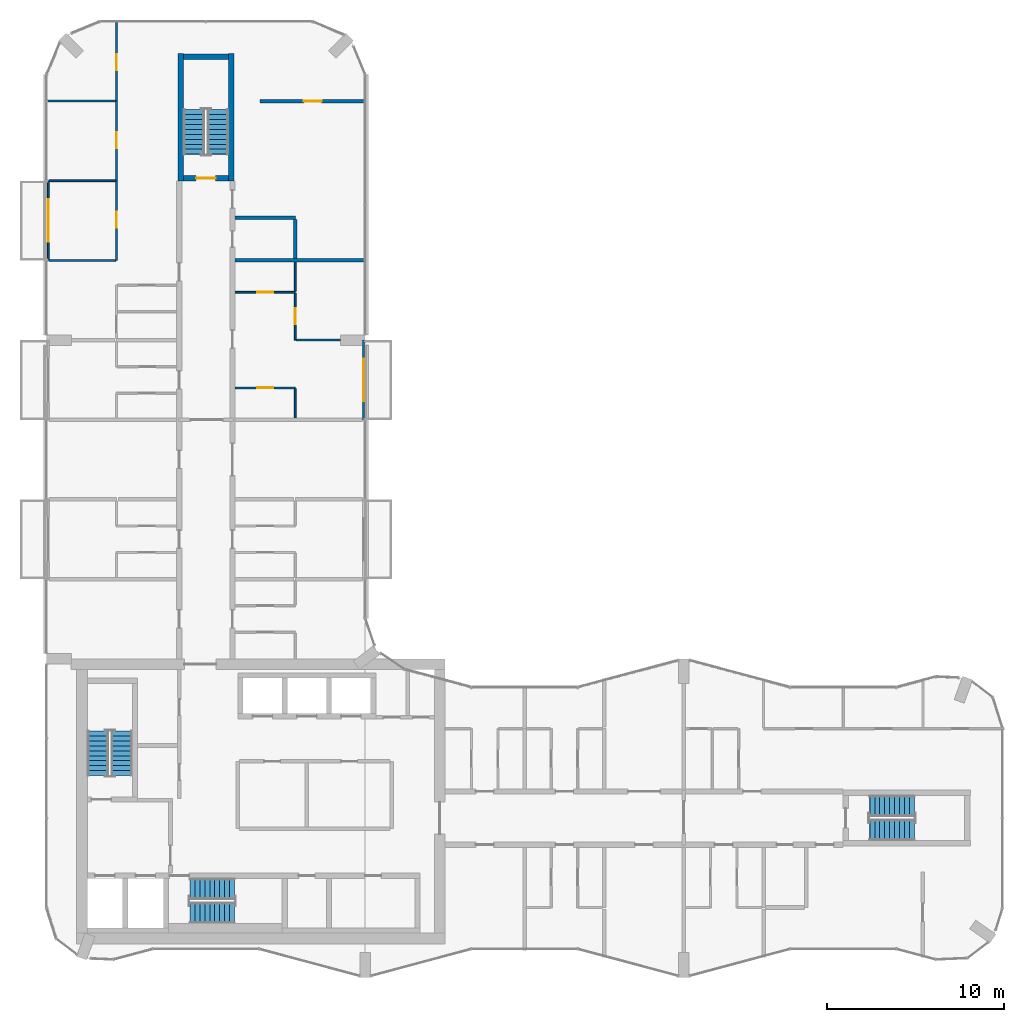
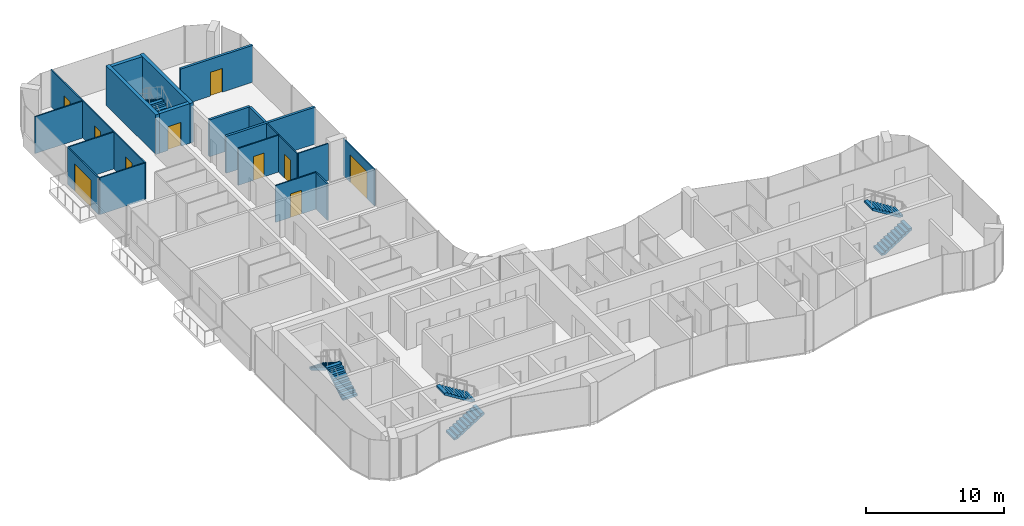
# One storey, part 13 of 16: 20 walls, 10 doors, 8 stair flights, 10 openings, 4 elements without a shape of their own.
"""IFC4 building model written with IfcOpenShell, lengths in metres."""

from ifc_helpers import new_model, si_unit, direction, frame, frame_2d, origin, place, context, subcontext, project, spatial, polyline, rectangle, outline, extrude, material, layer, layer_set, type_object, element, fill, aggregate, save


model = new_model("IFC4")

# Units and contexts
model_context = context("Model", 3, precision=1e-05, world=origin(), true_north=direction((0.0, 1.0)))
body_context = subcontext(model_context, "Body", "Model", "MODEL_VIEW")
ifc_project = project(units=[si_unit("LENGTHUNIT", "METRE"), si_unit("AREAUNIT", "SQUARE_METRE"), si_unit("VOLUMEUNIT", "CUBIC_METRE"), si_unit("PLANEANGLEUNIT", "RADIAN"), si_unit("MASSUNIT", "GRAM", prefix="KILO")], contexts=[model_context])

# Site, building, storey
site_placement = place(None, origin())
site = spatial("IfcSite", under=ifc_project, at=site_placement, CompositionType="ELEMENT")
building_placement = place(site_placement, origin())
building = spatial("IfcBuilding", under=site, at=building_placement, Name="Plateau Cross Towers", CompositionType="ELEMENT")
storey_placement = place(building_placement, frame((0.0, 0.0, 167.39990234375)))
storey = spatial("IfcBuildingStorey", under=building, at=storey_placement, Name="L43", CompositionType="ELEMENT", Elevation=167.39990234375)

# Wall, opening, door
ifc_material_1 = material(Name="Aluminium framed glazing", Category="aluminium")
ifc_layer_1 = layer(ifc_material_1, 0.10009765625)
ifc_layer_set_1 = layer_set([ifc_layer_1], Name="Aluminium framed glazing")
wall_type_1 = type_object("IfcWallType", Name="Balcony screen wall 100", PredefinedType="STANDARD", material=ifc_layer_set_1)
wall_1_placement = place(storey_placement, frame((0.10009765625, 40.5, 0.0), z_axis=(0.0, 0.0, 1.0), x_axis=(0.0, 1.0, 0.0)))
wall_1 = element("IfcWall", 1, at=wall_1_placement, inside=storey, type_object=wall_type_1, Name="Balcony screen wall A-BAL-L43-03", PredefinedType="STANDARD", context=body_context, shape_type="SweptSolid", body=[
    extrude(rectangle(XDim=4.5, YDim=0.10009765625, at=frame_2d((2.25, 0.0))), origin(), (0.0, 0.0, 1.0), 3.25),
])
opening_1_placement = place(wall_1_placement, frame((1.050048828125, 0.0, 0.0)))
opening_1 = element("IfcOpeningElement", 2, at=opening_1_placement, cuts=wall_1, Name="Opening D-B24", PredefinedType="OPENING", context=body_context, shape_type="SweptSolid", body=[
    extrude(rectangle(XDim=2.39990234375, YDim=2.39990234375, at=frame_2d((1.199951171875, 1.199951171875))), frame((0.0, 0.06005859375, 0.0), z_axis=(0.0, -1.0, 0.0), x_axis=(1.0, 0.0, 0.0)), (0.0, 0.0, 1.0), 0.1201171875),
])
ifc_material_2 = material(Name="Aluminium frame, double glazing", Category="aluminium")
door_type_1 = type_object("IfcDoorType", Name="Balcony sliding door 2400", OperationType="NOTDEFINED", PredefinedType="DOOR", material=ifc_material_2)
door_1_placement = place(opening_1_placement, origin())
door_1 = element("IfcDoor", 3, at=door_1_placement, inside=storey, type_object=door_type_1, Name="Balcony door A-BAL-L43-03", OperationType="SINGLE_SWING_LEFT", OverallHeight=2.39990234375, OverallWidth=2.39990234375, PredefinedType="DOOR", context=body_context, shape_type="SweptSolid", body=[
    extrude(rectangle(XDim=2.39990234375, YDim=2.39990234375, at=frame_2d((1.199951171875, 1.199951171875))), frame((0.0, 0.02490234375, 0.0), z_axis=(0.0, -1.0, 0.0), x_axis=(1.0, 0.0, 0.0)), (0.0, 0.0, 1.0), 0.050048828125),
])
fill(opening_1, door_1)

wall_2_placement = place(storey_placement, frame((17.89990234375, 36.0, 0.0), z_axis=(0.0, 0.0, 1.0), x_axis=(0.0, -1.0, 0.0)))
wall_2 = element("IfcWall", 4, at=wall_2_placement, inside=storey, type_object=wall_type_1, Name="Balcony screen wall A-BAL-L43-05", PredefinedType="STANDARD", context=body_context, shape_type="SweptSolid", body=[
    extrude(rectangle(XDim=4.5, YDim=0.10009765625, at=frame_2d((2.25, 0.0))), origin(), (0.0, 0.0, 1.0), 3.25),
])
opening_2_placement = place(wall_2_placement, frame((1.050048828125, 0.0, 0.0)))
opening_2 = element("IfcOpeningElement", 5, at=opening_2_placement, cuts=wall_2, Name="Opening D-B24", PredefinedType="OPENING", context=body_context, shape_type="SweptSolid", body=[
    extrude(rectangle(XDim=2.39990234375, YDim=2.39990234375, at=frame_2d((1.199951171875, 1.199951171875))), frame((0.0, 0.06005859375, 0.0), z_axis=(0.0, -1.0, 0.0), x_axis=(1.0, 0.0, 0.0)), (0.0, 0.0, 1.0), 0.1201171875),
])
door_2_placement = place(opening_2_placement, origin())
door_2 = element("IfcDoor", 6, at=door_2_placement, inside=storey, type_object=door_type_1, Name="Balcony door A-BAL-L43-05", OperationType="SINGLE_SWING_LEFT", OverallHeight=2.39990234375, OverallWidth=2.39990234375, PredefinedType="DOOR", context=body_context, shape_type="SweptSolid", body=[
    extrude(rectangle(XDim=2.39990234375, YDim=2.39990234375, at=frame_2d((1.199951171875, 1.199951171875))), frame((0.0, 0.02490234375, 0.0), z_axis=(0.0, -1.0, 0.0), x_axis=(1.0, 0.0, 0.0)), (0.0, 0.0, 1.0), 0.050048828125),
])
fill(opening_2, door_2)

ifc_material_3 = material(Name="Gypsum board on steel studs", Category="steel")
ifc_layer_2 = layer(ifc_material_3, 0.10009765625)
ifc_layer_set_2 = layer_set([ifc_layer_2], Name="Gypsum board on steel studs")
wall_type_2 = type_object("IfcWallType", Name="Flat partition 100", PredefinedType="PARTITIONING", material=ifc_layer_set_2)
wall_3_placement = place(storey_placement, frame((14.050048828125, 33.300048828125, 0.0), z_axis=(0.0, 0.0, 1.0), x_axis=(-1.0, 0.0, 0.0)))
wall_3 = element("IfcWall", 7, at=wall_3_placement, inside=storey, type_object=wall_type_2, Name="Partition wall", PredefinedType="PARTITIONING", context=body_context, shape_type="SweptSolid", body=[
    extrude(rectangle(XDim=3.400146484375, YDim=0.10009765625, at=frame_2d((1.7001953125, 0.0))), origin(), (0.0, 0.0, 1.0), 3.25),
])
opening_3_placement = place(wall_3_placement, frame((1.25, 0.0, 0.0)))
opening_3 = element("IfcOpeningElement", 8, at=opening_3_placement, cuts=wall_3, Name="Opening 43-52", PredefinedType="OPENING", context=body_context, shape_type="SweptSolid", body=[
    extrude(rectangle(XDim=0.89990234375, YDim=2.10009765625, at=frame_2d((0.449951171875, 1.050048828125))), frame((0.0, 0.06005859375, 0.0), z_axis=(0.0, -1.0, 0.0), x_axis=(1.0, 0.0, 0.0)), (0.0, 0.0, 1.0), 0.1201171875),
])
ifc_material_4 = material(Name="Timber leaf", Category="wood")
door_type_2 = type_object("IfcDoorType", Name="Flat room door 900", OperationType="NOTDEFINED", PredefinedType="DOOR", material=ifc_material_4)
door_3_placement = place(opening_3_placement, origin())
door_3 = element("IfcDoor", 9, at=door_3_placement, inside=storey, type_object=door_type_2, Name="Door 43-52", OperationType="SINGLE_SWING_LEFT", OverallHeight=2.10009765625, OverallWidth=0.89990234375, PredefinedType="DOOR", context=body_context, shape_type="SweptSolid", body=[
    extrude(rectangle(XDim=0.89990234375, YDim=2.10009765625, at=frame_2d((0.449951171875, 1.050048828125))), frame((0.0, 0.02490234375, 0.0), z_axis=(0.0, -1.0, 0.0), x_axis=(1.0, 0.0, 0.0)), (0.0, 0.0, 1.0), 0.050048828125),
])
fill(opening_3, door_3)

# Wall
wall_4_placement = place(storey_placement, frame((14.10009765625, 36.0, 0.0), z_axis=(0.0, 0.0, 1.0), x_axis=(1.0, 0.0, 0.0)))
element("IfcWall", 10, at=wall_4_placement, inside=storey, type_object=wall_type_2, Name="Partition wall", PredefinedType="PARTITIONING", context=body_context, shape_type="SweptSolid", body=[
    extrude(rectangle(XDim=2.5, YDim=0.10009765625, at=frame_2d((1.25, 0.0))), origin(), (0.0, 0.0, 1.0), 3.25),
])

# Wall, opening, door
wall_5_placement = place(storey_placement, frame((10.64990234375, 38.699951171875, 0.0), z_axis=(0.0, 0.0, 1.0), x_axis=(1.0, 0.0, 0.0)))
wall_5 = element("IfcWall", 11, at=wall_5_placement, inside=storey, type_object=wall_type_2, Name="Partition wall", PredefinedType="PARTITIONING", context=body_context, shape_type="SweptSolid", body=[
    extrude(rectangle(XDim=3.400146484375, YDim=0.10009765625, at=frame_2d((1.7001953125, 0.0))), origin(), (0.0, 0.0, 1.0), 3.25),
])
opening_4_placement = place(wall_5_placement, frame((1.25, 0.0, 0.0)))
opening_4 = element("IfcOpeningElement", 12, at=opening_4_placement, cuts=wall_5, Name="Opening 43-53", PredefinedType="OPENING", context=body_context, shape_type="SweptSolid", body=[
    extrude(rectangle(XDim=0.89990234375, YDim=2.10009765625, at=frame_2d((0.449951171875, 1.050048828125))), frame((0.0, 0.06005859375, 0.0), z_axis=(0.0, -1.0, 0.0), x_axis=(1.0, 0.0, 0.0)), (0.0, 0.0, 1.0), 0.1201171875),
])
door_4_placement = place(opening_4_placement, origin())
door_4 = element("IfcDoor", 13, at=door_4_placement, inside=storey, type_object=door_type_2, Name="Door 43-53", OperationType="SINGLE_SWING_LEFT", OverallHeight=2.10009765625, OverallWidth=0.89990234375, PredefinedType="DOOR", context=body_context, shape_type="SweptSolid", body=[
    extrude(rectangle(XDim=0.89990234375, YDim=2.10009765625, at=frame_2d((0.449951171875, 1.050048828125))), frame((0.0, 0.02490234375, 0.0), z_axis=(0.0, -1.0, 0.0), x_axis=(1.0, 0.0, 0.0)), (0.0, 0.0, 1.0), 0.050048828125),
])
fill(opening_4, door_4)

# Walls
for number, where, z_axis, x_axis, name in (
    (14, (0.14990234375, 40.5, 0.0), (0.0, 0.0, 1.0), (1.0, 0.0, 0.0), "Partition wall"),
    (15, (3.89990234375, 45.0, 0.0), (0.0, 0.0, 1.0), (-1.0, 0.0, 0.0), "Partition wall"),
):
    element("IfcWall", number, at=place(storey_placement, frame(where, z_axis=z_axis, x_axis=x_axis)), inside=storey, type_object=wall_type_2, Name=name, PredefinedType="PARTITIONING", context=body_context, shape_type="SweptSolid", body=[
        extrude(rectangle(XDim=3.75, YDim=0.10009765625, at=frame_2d((1.875, 0.0))), origin(), (0.0, 0.0, 1.0), 3.25),
    ])
wall_6_placement = place(storey_placement, frame((3.89990234375, 49.5, 0.0), z_axis=(0.0, 0.0, 1.0), x_axis=(-1.0, 0.0, 0.0)))
element("IfcWall", 16, at=wall_6_placement, inside=storey, type_object=wall_type_2, Name="Partition wall", PredefinedType="PARTITIONING", context=body_context, shape_type="SweptSolid", body=[
    extrude(rectangle(XDim=3.97998046875, YDim=0.10009765625, at=frame_2d((1.989990234375, 0.0))), origin(), (0.0, 0.0, 1.0), 3.25),
])

# Wall, openings, doors
wall_7_placement = place(storey_placement, frame((3.949951171875, 40.5, 0.0), z_axis=(0.0, 0.0, 1.0), x_axis=(0.0, 1.0, 0.0)))
wall_7 = element("IfcWall", 17, at=wall_7_placement, inside=storey, type_object=wall_type_2, Name="Partition wall", PredefinedType="PARTITIONING", context=body_context, shape_type="SweptSolid", body=[
    extrude(rectangle(XDim=13.580078125, YDim=0.10009765625, at=frame_2d((6.7900390625, 0.0))), origin(), (0.0, 0.0, 1.0), 3.25),
])
opening_5_placement = place(wall_7_placement, frame((1.85009765625, 0.0, 0.0)))
opening_5 = element("IfcOpeningElement", 18, at=opening_5_placement, cuts=wall_7, Name="Opening 43-45", PredefinedType="OPENING", context=body_context, shape_type="SweptSolid", body=[
    extrude(rectangle(XDim=0.89990234375, YDim=2.10009765625, at=frame_2d((0.449951171875, 1.050048828125))), frame((0.0, 0.06005859375, 0.0), z_axis=(0.0, -1.0, 0.0), x_axis=(1.0, 0.0, 0.0)), (0.0, 0.0, 1.0), 0.1201171875),
])
opening_6_placement = place(wall_7_placement, frame((6.35009765625, 0.0, 0.0)))
opening_6 = element("IfcOpeningElement", 19, at=opening_6_placement, cuts=wall_7, Name="Opening 43-46", PredefinedType="OPENING", context=body_context, shape_type="SweptSolid", body=[
    extrude(rectangle(XDim=0.89990234375, YDim=2.10009765625, at=frame_2d((0.449951171875, 1.050048828125))), frame((0.0, 0.06005859375, 0.0), z_axis=(0.0, -1.0, 0.0), x_axis=(1.0, 0.0, 0.0)), (0.0, 0.0, 1.0), 0.1201171875),
])
opening_7_placement = place(wall_7_placement, frame((10.75, 0.0, 0.0)))
opening_7 = element("IfcOpeningElement", 20, at=opening_7_placement, cuts=wall_7, Name="Opening 43-47", PredefinedType="OPENING", context=body_context, shape_type="SweptSolid", body=[
    extrude(rectangle(XDim=0.89990234375, YDim=2.10009765625, at=frame_2d((0.449951171875, 1.050048828125))), frame((0.0, 0.06005859375, 0.0), z_axis=(0.0, -1.0, 0.0), x_axis=(1.0, 0.0, 0.0)), (0.0, 0.0, 1.0), 0.1201171875),
])
door_5_placement = place(opening_5_placement, origin())
door_5 = element("IfcDoor", 21, at=door_5_placement, inside=storey, type_object=door_type_2, Name="Door 43-45", OperationType="SINGLE_SWING_LEFT", OverallHeight=2.10009765625, OverallWidth=0.89990234375, PredefinedType="DOOR", context=body_context, shape_type="SweptSolid", body=[
    extrude(rectangle(XDim=0.89990234375, YDim=2.10009765625, at=frame_2d((0.449951171875, 1.050048828125))), frame((0.0, 0.02490234375, 0.0), z_axis=(0.0, -1.0, 0.0), x_axis=(1.0, 0.0, 0.0)), (0.0, 0.0, 1.0), 0.050048828125),
])
fill(opening_5, door_5)
door_6_placement = place(opening_6_placement, origin())
door_6 = element("IfcDoor", 22, at=door_6_placement, inside=storey, type_object=door_type_2, Name="Door 43-46", OperationType="SINGLE_SWING_RIGHT", OverallHeight=2.10009765625, OverallWidth=0.89990234375, PredefinedType="DOOR", context=body_context, shape_type="SweptSolid", body=[
    extrude(rectangle(XDim=0.89990234375, YDim=2.10009765625, at=frame_2d((0.449951171875, 1.050048828125))), frame((0.0, 0.02490234375, 0.0), z_axis=(0.0, -1.0, 0.0), x_axis=(1.0, 0.0, 0.0)), (0.0, 0.0, 1.0), 0.050048828125),
])
fill(opening_6, door_6)
door_7_placement = place(opening_7_placement, origin())
door_7 = element("IfcDoor", 23, at=door_7_placement, inside=storey, type_object=door_type_2, Name="Door 43-47", OperationType="SINGLE_SWING_RIGHT", OverallHeight=2.10009765625, OverallWidth=0.89990234375, PredefinedType="DOOR", context=body_context, shape_type="SweptSolid", body=[
    extrude(rectangle(XDim=0.89990234375, YDim=2.10009765625, at=frame_2d((0.449951171875, 1.050048828125))), frame((0.0, 0.02490234375, 0.0), z_axis=(0.0, -1.0, 0.0), x_axis=(1.0, 0.0, 0.0)), (0.0, 0.0, 1.0), 0.050048828125),
])
fill(opening_7, door_7)

# Wall, opening, door
wall_8_placement = place(storey_placement, frame((14.050048828125, 38.64990234375, 0.0), z_axis=(0.0, 0.0, 1.0), x_axis=(0.0, -1.0, 0.0)))
wall_8 = element("IfcWall", 24, at=wall_8_placement, inside=storey, type_object=wall_type_2, Name="Partition wall", PredefinedType="PARTITIONING", context=body_context, shape_type="SweptSolid", body=[
    extrude(rectangle(XDim=2.64990234375, YDim=0.10009765625, at=frame_2d((1.324951171875, 0.0))), origin(), (0.0, 0.0, 1.0), 3.25),
])
opening_8_placement = place(wall_8_placement, frame((0.85009765625, 0.0, 0.0)))
opening_8 = element("IfcOpeningElement", 25, at=opening_8_placement, cuts=wall_8, Name="Opening 43-54", PredefinedType="OPENING", context=body_context, shape_type="SweptSolid", body=[
    extrude(rectangle(XDim=0.89990234375, YDim=2.10009765625, at=frame_2d((0.449951171875, 1.050048828125))), frame((0.0, 0.06005859375, 0.0), z_axis=(0.0, -1.0, 0.0), x_axis=(1.0, 0.0, 0.0)), (0.0, 0.0, 1.0), 0.1201171875),
])
door_8_placement = place(opening_8_placement, origin())
door_8 = element("IfcDoor", 26, at=door_8_placement, inside=storey, type_object=door_type_2, Name="Door 43-54", OperationType="SINGLE_SWING_LEFT", OverallHeight=2.10009765625, OverallWidth=0.89990234375, PredefinedType="DOOR", context=body_context, shape_type="SweptSolid", body=[
    extrude(rectangle(XDim=0.89990234375, YDim=2.10009765625, at=frame_2d((0.449951171875, 1.050048828125))), frame((0.0, 0.02490234375, 0.0), z_axis=(0.0, -1.0, 0.0), x_axis=(1.0, 0.0, 0.0)), (0.0, 0.0, 1.0), 0.050048828125),
])
fill(opening_8, door_8)

# Walls
for number, where, z_axis, x_axis, name in (
    (27, (14.050048828125, 31.60009765625, 0.0), (0.0, 0.0, 1.0), (0.0, 1.0, 0.0), "Partition wall"),
    (28, (14.050048828125, 38.75, 0.0), (0.0, 0.0, 1.0), (0.0, 1.0, 0.0), "Partition wall"),
):
    element("IfcWall", number, at=place(storey_placement, frame(where, z_axis=z_axis, x_axis=x_axis)), inside=storey, type_object=wall_type_2, Name=name, PredefinedType="PARTITIONING", context=body_context, shape_type="SweptSolid", body=[
        extrude(rectangle(XDim=1.64990234375, YDim=0.10009765625, at=frame_2d((0.824951171875, 0.0))), origin(), (0.0, 0.0, 1.0), 3.25),
    ])
ifc_material_5 = material(Name="Gypsum board on steel studs, two layers each side", Category="steel")
ifc_layer_3 = layer(ifc_material_5, 0.199951171875)
ifc_layer_set_3 = layer_set([ifc_layer_3], Name="Gypsum board on steel studs, two layers each side")
wall_type_3 = type_object("IfcWallType", Name="Flat party wall 200", PredefinedType="PARTITIONING", material=ifc_layer_set_3)
wall_9_placement = place(storey_placement, frame((18.080078125, 40.5, 0.0), z_axis=(0.0, 0.0, 1.0), x_axis=(-1.0, 0.0, 0.0)))
element("IfcWall", 29, at=wall_9_placement, inside=storey, type_object=wall_type_3, Name="Party wall", PredefinedType="PARTITIONING", context=body_context, shape_type="SweptSolid", body=[
    extrude(rectangle(XDim=7.43017578125, YDim=0.199951171875, at=frame_2d((3.715087890625, 0.0))), origin(), (0.0, 0.0, 1.0), 3.25),
])
wall_10_placement = place(storey_placement, frame((14.050048828125, 42.89990234375, 0.0), z_axis=(0.0, 0.0, 1.0), x_axis=(-1.0, 0.0, 0.0)))
element("IfcWall", 30, at=wall_10_placement, inside=storey, type_object=wall_type_3, Name="Party wall", PredefinedType="PARTITIONING", context=body_context, shape_type="SweptSolid", body=[
    extrude(rectangle(XDim=3.400146484375, YDim=0.199951171875, at=frame_2d((1.7001953125, 0.0))), origin(), (0.0, 0.0, 1.0), 3.25),
])

# Wall, opening, door
wall_11_placement = place(storey_placement, frame((18.080078125, 49.5, 0.0), z_axis=(0.0, 0.0, 1.0), x_axis=(-1.0, 0.0, 0.0)))
wall_11 = element("IfcWall", 31, at=wall_11_placement, inside=storey, type_object=wall_type_3, Name="Party wall", PredefinedType="PARTITIONING", context=body_context, shape_type="SweptSolid", body=[
    extrude(rectangle(XDim=6.030029296875, YDim=0.199951171875, at=frame_2d((3.01513671875, 0.0))), origin(), (0.0, 0.0, 1.0), 3.25),
])
opening_9_placement = place(wall_11_placement, frame((2.550048828125, 0.0, 0.0)))
opening_9 = element("IfcOpeningElement", 32, at=opening_9_placement, cuts=wall_11, Name="Opening 43-25", PredefinedType="OPENING", context=body_context, shape_type="SweptSolid", body=[
    extrude(rectangle(XDim=1.0, YDim=2.10009765625, at=frame_2d((0.5, 1.050048828125))), frame((0.0, 0.10986328125, 0.0), z_axis=(0.0, -1.0, 0.0), x_axis=(1.0, 0.0, 0.0)), (0.0, 0.0, 1.0), 0.219970703125),
])
ifc_material_6 = material(Name="Timber, fire-resisting leaf", Category="wood")
door_type_3 = type_object("IfcDoorType", Name="Flat entrance door 1000", OperationType="NOTDEFINED", PredefinedType="DOOR", material=ifc_material_6)
door_9_placement = place(opening_9_placement, origin())
door_9 = element("IfcDoor", 33, at=door_9_placement, inside=storey, type_object=door_type_3, Name="Door 43-25", OperationType="SINGLE_SWING_RIGHT", OverallHeight=2.10009765625, OverallWidth=1.0, PredefinedType="DOOR", context=body_context, shape_type="SweptSolid", body=[
    extrude(rectangle(XDim=1.0, YDim=2.10009765625, at=frame_2d((0.5, 1.050048828125))), frame((0.0, 0.02490234375, 0.0), z_axis=(0.0, -1.0, 0.0), x_axis=(1.0, 0.0, 0.0)), (0.0, 0.0, 1.0), 0.050048828125),
])
fill(opening_9, door_9)

# Wall
wall_12_placement = place(storey_placement, frame((14.050048828125, 40.60009765625, 0.0), z_axis=(0.0, 0.0, 1.0), x_axis=(0.0, 1.0, 0.0)))
element("IfcWall", 34, at=wall_12_placement, inside=storey, type_object=wall_type_3, Name="Party wall", PredefinedType="PARTITIONING", context=body_context, shape_type="SweptSolid", body=[
    extrude(rectangle(XDim=2.199951171875, YDim=0.199951171875, at=frame_2d((1.10009765625, 0.0))), origin(), (0.0, 0.0, 1.0), 3.25),
])

# Wall, opening, door
ifc_material_7 = material(Name="Concrete C60/75", Category="concrete")
ifc_layer_4 = layer(ifc_material_7, 0.300048828125)
ifc_layer_set_4 = layer_set([ifc_layer_4], Name="Concrete C60/75")
wall_type_4 = type_object("IfcWallType", Name="Stair tower wall 300", PredefinedType="SHEAR", material=ifc_layer_set_4)
wall_13_placement = place(storey_placement, frame((7.72509765625, 45.14990234375, 0.0), z_axis=(0.0, 0.0, 1.0), x_axis=(1.0, 0.0, 0.0)))
wall_13 = element("IfcWall", 35, at=wall_13_placement, inside=storey, type_object=wall_type_4, Name="A-end-N-S@L43", PredefinedType="SHEAR", context=body_context, shape_type="SweptSolid", body=[
    extrude(rectangle(XDim=2.5498046875, YDim=0.300048828125, at=frame_2d((1.27490234375, 0.0))), origin(), (0.0, 0.0, 1.0), 3.5),
])
opening_10_placement = place(wall_13_placement, frame((0.72509765625, 0.0, 0.0)))
opening_10 = element("IfcOpeningElement", 36, at=opening_10_placement, cuts=wall_13, Name="Opening SD", PredefinedType="OPENING", context=body_context, shape_type="SweptSolid", body=[
    extrude(rectangle(XDim=1.10009765625, YDim=2.10009765625, at=frame_2d((0.550048828125, 1.050048828125))), frame((0.0, 0.159912109375, 0.0), z_axis=(0.0, -1.0, 0.0), x_axis=(1.0, 0.0, 0.0)), (0.0, 0.0, 1.0), 0.320068359375),
])
ifc_material_8 = material(Name="Steel, fire-resisting leaf", Category="steel")
door_type_4 = type_object("IfcDoorType", Name="Stair door 1100", OperationType="NOTDEFINED", PredefinedType="DOOR", material=ifc_material_8)
door_10_placement = place(opening_10_placement, origin())
door_10 = element("IfcDoor", 37, at=door_10_placement, inside=storey, type_object=door_type_4, Name="Stair door SD", OperationType="SINGLE_SWING_LEFT", OverallHeight=2.10009765625, OverallWidth=1.10009765625, PredefinedType="DOOR", context=body_context, shape_type="SweptSolid", body=[
    extrude(rectangle(XDim=1.10009765625, YDim=2.10009765625, at=frame_2d((0.550048828125, 1.050048828125))), frame((0.0, 0.02490234375, 0.0), z_axis=(0.0, -1.0, 0.0), x_axis=(1.0, 0.0, 0.0)), (0.0, 0.0, 1.0), 0.050048828125),
])
fill(opening_10, door_10)

# Walls
wall_14_placement = place(storey_placement, frame((7.72509765625, 52.0, 0.0), z_axis=(0.0, 0.0, 1.0), x_axis=(1.0, 0.0, 0.0)))
element("IfcWall", 38, at=wall_14_placement, inside=storey, type_object=wall_type_4, Name="A-end-N-N@L43", PredefinedType="SHEAR", context=body_context, shape_type="SweptSolid", body=[
    extrude(rectangle(XDim=2.5498046875, YDim=0.300048828125, at=frame_2d((1.27490234375, 0.0))), origin(), (0.0, 0.0, 1.0), 3.5),
])
for number, where, z_axis, x_axis, name in (
    (39, (7.574951171875, 45.0, 0.0), (0.0, 0.0, 1.0), (0.0, 1.0, 0.0), "A-end-N-W@L43"),
    (40, (10.425048828125, 45.0, 0.0), (0.0, 0.0, 1.0), (0.0, 1.0, 0.0), "A-end-N-E@L43"),
):
    element("IfcWall", number, at=place(storey_placement, frame(where, z_axis=z_axis, x_axis=x_axis)), inside=storey, type_object=wall_type_4, Name=name, PredefinedType="SHEAR", context=body_context, shape_type="SweptSolid", body=[
        extrude(rectangle(XDim=7.199951171875, YDim=0.300048828125, at=frame_2d((3.60009765625, 0.0))), origin(), (0.0, 0.0, 1.0), 3.5),
    ])

# Stair, stair flights
ifc_material_9 = material(Name="Concrete C40/50", Category="concrete")
stair_type = type_object("IfcStairType", Name="ST-TWR", PredefinedType="HALF_TURN_STAIR", material=ifc_material_9)
stair_1_placement = place(storey_placement, origin())
stair_1 = element("IfcStair", 41, at=stair_1_placement, inside=storey, type_object=stair_type, Name="L43 Protected Exit Stair ST-1", PredefinedType="HALF_TURN_STAIR")
stair_flight_type = type_object("IfcStairFlightType", Name="SFL-RC", PredefinedType="STRAIGHT", material=ifc_material_9)
stair_flight_1_placement = place(storey_placement, frame((4.25, 11.39990234375, 0.0), z_axis=(0.0, 0.0, 1.0), x_axis=(0.0, 1.0, 0.0)))
stair_flight_1 = element("IfcStairFlight", 42, at=stair_flight_1_placement, type_object=stair_flight_type, Name="ST-1 flight 1", NumberOfRisers=10, NumberOfTreads=9, PredefinedType="STRAIGHT", RiserHeight=0.175, TreadLength=0.28, context=body_context, shape_type="SweptSolid", body=[
    extrude(outline(polyline([(-0.0048828125, -0.010009765625), (-0.0048828125, 0.0), (0.0, 0.0), (0.0, 0.175048828125), (0.280029296875, 0.175048828125), (0.280029296875, 0.35009765625), (0.56005859375, 0.35009765625), (0.56005859375, 0.52490234375), (0.840087890625, 0.52490234375), (0.840087890625, 0.699951171875), (1.1201171875, 0.699951171875), (1.1201171875, 0.875), (1.39990234375, 0.875), (1.39990234375, 1.050048828125), (1.679931640625, 1.050048828125), (1.679931640625, 1.22509765625), (1.9599609375, 1.22509765625), (1.9599609375, 1.39990234375), (2.239990234375, 1.39990234375), (2.239990234375, 1.574951171875), (2.52001953125, 1.574951171875), (2.52490234375, 1.56494140625), (2.52490234375, 1.398193359375), (2.52001953125, 1.398193359375), (0.28271484375, 0.0), (0.02001953125, 0.0), (0.02001953125, -0.010009765625), (-0.0048828125, -0.010009765625)])), frame((0.0, 0.60009765625, 0.0), z_axis=(0.0, -1.0, 0.0), x_axis=(1.0, 0.0, 0.0)), (0.0, 0.0, 1.0), 1.199951171875),
])
stair_flight_2_placement = place(storey_placement, frame((2.89990234375, 13.919921875, 1.75), z_axis=(0.0, 0.0, 1.0), x_axis=(0.0, -1.0, 0.0)))
stair_flight_2 = element("IfcStairFlight", 43, at=stair_flight_2_placement, type_object=stair_flight_type, Name="ST-1 flight 2", NumberOfRisers=10, NumberOfTreads=9, PredefinedType="STRAIGHT", RiserHeight=0.175, TreadLength=0.28, context=body_context, shape_type="SweptSolid", body=[
    extrude(outline(polyline([(-0.0048828125, -0.010009765625), (-0.0048828125, 0.0), (0.0, 0.0), (0.0, 0.175048828125), (0.280029296875, 0.175048828125), (0.280029296875, 0.35009765625), (0.56005859375, 0.35009765625), (0.56005859375, 0.52490234375), (0.840087890625, 0.52490234375), (0.840087890625, 0.699951171875), (1.1201171875, 0.699951171875), (1.1201171875, 0.875), (1.39990234375, 0.875), (1.39990234375, 1.050048828125), (1.679931640625, 1.050048828125), (1.679931640625, 1.22509765625), (1.9599609375, 1.22509765625), (1.9599609375, 1.39990234375), (2.239990234375, 1.39990234375), (2.239990234375, 1.574951171875), (2.52001953125, 1.574951171875), (2.52490234375, 1.56494140625), (2.52490234375, 1.398193359375), (2.52001953125, 1.398193359375), (0.28271484375, 0.0), (0.02001953125, 0.0), (0.02001953125, -0.010009765625), (-0.0048828125, -0.010009765625)])), frame((0.0, 0.60009765625, 0.0), z_axis=(0.0, -1.0, 0.0), x_axis=(1.0, 0.0, 0.0)), (0.0, 0.0, 1.0), 1.199951171875),
])
aggregate(stair_1, [stair_flight_1, stair_flight_2])

stair_2_placement = place(storey_placement, origin())
stair_2 = element("IfcStair", 44, at=stair_2_placement, inside=storey, type_object=stair_type, Name="L43 Protected Exit Stair ST-2", PredefinedType="HALF_TURN_STAIR")
stair_flight_3_placement = place(storey_placement, frame((8.10009765625, 3.64990234375, 0.0), z_axis=(0.0, 0.0, 1.0), x_axis=(1.0, 0.0, 0.0)))
stair_flight_3 = element("IfcStairFlight", 45, at=stair_flight_3_placement, type_object=stair_flight_type, Name="ST-2 flight 1", NumberOfRisers=10, NumberOfTreads=9, PredefinedType="STRAIGHT", RiserHeight=0.175, TreadLength=0.28, context=body_context, shape_type="SweptSolid", body=[
    extrude(outline(polyline([(-0.0048828125, -0.010009765625), (-0.0048828125, 0.0), (0.0, 0.0), (0.0, 0.175048828125), (0.280029296875, 0.175048828125), (0.280029296875, 0.35009765625), (0.56005859375, 0.35009765625), (0.56005859375, 0.52490234375), (0.840087890625, 0.52490234375), (0.840087890625, 0.699951171875), (1.1201171875, 0.699951171875), (1.1201171875, 0.875), (1.39990234375, 0.875), (1.39990234375, 1.050048828125), (1.679931640625, 1.050048828125), (1.679931640625, 1.22509765625), (1.9599609375, 1.22509765625), (1.9599609375, 1.39990234375), (2.239990234375, 1.39990234375), (2.239990234375, 1.574951171875), (2.52001953125, 1.574951171875), (2.52490234375, 1.56494140625), (2.52490234375, 1.398193359375), (2.52001953125, 1.398193359375), (0.28271484375, 0.0), (0.02001953125, 0.0), (0.02001953125, -0.010009765625), (-0.0048828125, -0.010009765625)])), frame((0.0, 0.60009765625, 0.0), z_axis=(0.0, -1.0, 0.0), x_axis=(1.0, 0.0, 0.0)), (0.0, 0.0, 1.0), 1.199951171875),
])
stair_flight_4_placement = place(storey_placement, frame((10.6201171875, 5.0, 1.75), z_axis=(0.0, 0.0, 1.0), x_axis=(-1.0, 0.0, 0.0)))
stair_flight_4 = element("IfcStairFlight", 46, at=stair_flight_4_placement, type_object=stair_flight_type, Name="ST-2 flight 2", NumberOfRisers=10, NumberOfTreads=9, PredefinedType="STRAIGHT", RiserHeight=0.175, TreadLength=0.28, context=body_context, shape_type="SweptSolid", body=[
    extrude(outline(polyline([(-0.0048828125, -0.010009765625), (-0.0048828125, 0.0), (0.0, 0.0), (0.0, 0.175048828125), (0.280029296875, 0.175048828125), (0.280029296875, 0.35009765625), (0.56005859375, 0.35009765625), (0.56005859375, 0.52490234375), (0.840087890625, 0.52490234375), (0.840087890625, 0.699951171875), (1.1201171875, 0.699951171875), (1.1201171875, 0.875), (1.39990234375, 0.875), (1.39990234375, 1.050048828125), (1.679931640625, 1.050048828125), (1.679931640625, 1.22509765625), (1.9599609375, 1.22509765625), (1.9599609375, 1.39990234375), (2.239990234375, 1.39990234375), (2.239990234375, 1.574951171875), (2.52001953125, 1.574951171875), (2.52490234375, 1.56494140625), (2.52490234375, 1.398193359375), (2.52001953125, 1.398193359375), (0.28271484375, 0.0), (0.02001953125, 0.0), (0.02001953125, -0.010009765625), (-0.0048828125, -0.010009765625)])), frame((0.0, 0.60009765625, 0.0), z_axis=(0.0, -1.0, 0.0), x_axis=(1.0, 0.0, 0.0)), (0.0, 0.0, 1.0), 1.199951171875),
])
aggregate(stair_2, [stair_flight_3, stair_flight_4])

stair_3_placement = place(storey_placement, origin())
stair_3 = element("IfcStair", 47, at=stair_3_placement, inside=storey, type_object=stair_type, Name="L43 Protected Exit Stair E", PredefinedType="HALF_TURN_STAIR")
stair_flight_5_placement = place(storey_placement, frame((46.5, 8.324951171875, 0.0), z_axis=(0.0, 0.0, 1.0), x_axis=(1.0, 0.0, 0.0)))
stair_flight_5 = element("IfcStairFlight", 48, at=stair_flight_5_placement, type_object=stair_flight_type, Name="ES-E flight 1", NumberOfRisers=10, NumberOfTreads=9, PredefinedType="STRAIGHT", RiserHeight=0.175, TreadLength=0.28, context=body_context, shape_type="SweptSolid", body=[
    extrude(outline(polyline([(-0.0048828125, -0.010009765625), (-0.0048828125, 0.0), (0.0, 0.0), (0.0, 0.175048828125), (0.280029296875, 0.175048828125), (0.280029296875, 0.35009765625), (0.56005859375, 0.35009765625), (0.56005859375, 0.52490234375), (0.840087890625, 0.52490234375), (0.840087890625, 0.699951171875), (1.1201171875, 0.699951171875), (1.1201171875, 0.875), (1.39990234375, 0.875), (1.39990234375, 1.050048828125), (1.679931640625, 1.050048828125), (1.679931640625, 1.22509765625), (1.9599609375, 1.22509765625), (1.9599609375, 1.39990234375), (2.239990234375, 1.39990234375), (2.239990234375, 1.574951171875), (2.52001953125, 1.574951171875), (2.52490234375, 1.56494140625), (2.52490234375, 1.398193359375), (2.52001953125, 1.398193359375), (0.28271484375, 0.0), (0.02001953125, 0.0), (0.02001953125, -0.010009765625), (-0.0048828125, -0.010009765625)])), frame((0.0, 0.60009765625, 0.0), z_axis=(0.0, -1.0, 0.0), x_axis=(1.0, 0.0, 0.0)), (0.0, 0.0, 1.0), 1.199951171875),
])
stair_flight_6_placement = place(storey_placement, frame((49.02001953125, 9.675048828125, 1.75), z_axis=(0.0, 0.0, 1.0), x_axis=(-1.0, 0.0, 0.0)))
stair_flight_6 = element("IfcStairFlight", 49, at=stair_flight_6_placement, type_object=stair_flight_type, Name="ES-E flight 2", NumberOfRisers=10, NumberOfTreads=9, PredefinedType="STRAIGHT", RiserHeight=0.175, TreadLength=0.28, context=body_context, shape_type="SweptSolid", body=[
    extrude(outline(polyline([(-0.0048828125, -0.010009765625), (-0.0048828125, 0.0), (0.0, 0.0), (0.0, 0.175048828125), (0.280029296875, 0.175048828125), (0.280029296875, 0.35009765625), (0.56005859375, 0.35009765625), (0.56005859375, 0.52490234375), (0.840087890625, 0.52490234375), (0.840087890625, 0.699951171875), (1.1201171875, 0.699951171875), (1.1201171875, 0.875), (1.39990234375, 0.875), (1.39990234375, 1.050048828125), (1.679931640625, 1.050048828125), (1.679931640625, 1.22509765625), (1.9599609375, 1.22509765625), (1.9599609375, 1.39990234375), (2.239990234375, 1.39990234375), (2.239990234375, 1.574951171875), (2.52001953125, 1.574951171875), (2.52490234375, 1.56494140625), (2.52490234375, 1.398193359375), (2.52001953125, 1.398193359375), (0.28271484375, 0.0), (0.02001953125, 0.0), (0.02001953125, -0.010009765625), (-0.0048828125, -0.010009765625)])), frame((0.0, 0.60009765625, 0.0), z_axis=(0.0, -1.0, 0.0), x_axis=(1.0, 0.0, 0.0)), (0.0, 0.0, 1.0), 1.199951171875),
])
aggregate(stair_3, [stair_flight_5, stair_flight_6])

stair_4_placement = place(storey_placement, origin())
stair_4 = element("IfcStair", 50, at=stair_4_placement, inside=storey, type_object=stair_type, Name="L43 Protected Exit Stair N", PredefinedType="HALF_TURN_STAIR")
stair_flight_7_placement = place(storey_placement, frame((9.675048828125, 46.5, 0.0), z_axis=(0.0, 0.0, 1.0), x_axis=(0.0, 1.0, 0.0)))
stair_flight_7 = element("IfcStairFlight", 51, at=stair_flight_7_placement, type_object=stair_flight_type, Name="ES-N flight 1", NumberOfRisers=10, NumberOfTreads=9, PredefinedType="STRAIGHT", RiserHeight=0.175, TreadLength=0.28, context=body_context, shape_type="SweptSolid", body=[
    extrude(outline(polyline([(-0.0048828125, -0.010009765625), (-0.0048828125, 0.0), (0.0, 0.0), (0.0, 0.175048828125), (0.280029296875, 0.175048828125), (0.280029296875, 0.35009765625), (0.56005859375, 0.35009765625), (0.56005859375, 0.52490234375), (0.840087890625, 0.52490234375), (0.840087890625, 0.699951171875), (1.1201171875, 0.699951171875), (1.1201171875, 0.875), (1.39990234375, 0.875), (1.39990234375, 1.050048828125), (1.679931640625, 1.050048828125), (1.679931640625, 1.22509765625), (1.9599609375, 1.22509765625), (1.9599609375, 1.39990234375), (2.239990234375, 1.39990234375), (2.239990234375, 1.574951171875), (2.52001953125, 1.574951171875), (2.52490234375, 1.56494140625), (2.52490234375, 1.398193359375), (2.52001953125, 1.398193359375), (0.28271484375, 0.0), (0.02001953125, 0.0), (0.02001953125, -0.010009765625), (-0.0048828125, -0.010009765625)])), frame((0.0, 0.60009765625, 0.0), z_axis=(0.0, -1.0, 0.0), x_axis=(1.0, 0.0, 0.0)), (0.0, 0.0, 1.0), 1.199951171875),
])
stair_flight_8_placement = place(storey_placement, frame((8.324951171875, 49.02001953125, 1.75), z_axis=(0.0, 0.0, 1.0), x_axis=(0.0, -1.0, 0.0)))
stair_flight_8 = element("IfcStairFlight", 52, at=stair_flight_8_placement, type_object=stair_flight_type, Name="ES-N flight 2", NumberOfRisers=10, NumberOfTreads=9, PredefinedType="STRAIGHT", RiserHeight=0.175, TreadLength=0.28, context=body_context, shape_type="SweptSolid", body=[
    extrude(outline(polyline([(-0.0048828125, -0.010009765625), (-0.0048828125, 0.0), (0.0, 0.0), (0.0, 0.175048828125), (0.280029296875, 0.175048828125), (0.280029296875, 0.35009765625), (0.56005859375, 0.35009765625), (0.56005859375, 0.52490234375), (0.840087890625, 0.52490234375), (0.840087890625, 0.699951171875), (1.1201171875, 0.699951171875), (1.1201171875, 0.875), (1.39990234375, 0.875), (1.39990234375, 1.050048828125), (1.679931640625, 1.050048828125), (1.679931640625, 1.22509765625), (1.9599609375, 1.22509765625), (1.9599609375, 1.39990234375), (2.239990234375, 1.39990234375), (2.239990234375, 1.574951171875), (2.52001953125, 1.574951171875), (2.52490234375, 1.56494140625), (2.52490234375, 1.398193359375), (2.52001953125, 1.398193359375), (0.28271484375, 0.0), (0.02001953125, 0.0), (0.02001953125, -0.010009765625), (-0.0048828125, -0.010009765625)])), frame((0.0, 0.60009765625, 0.0), z_axis=(0.0, -1.0, 0.0), x_axis=(1.0, 0.0, 0.0)), (0.0, 0.0, 1.0), 1.199951171875),
])
aggregate(stair_4, [stair_flight_7, stair_flight_8])

save(model, "model.ifc")
